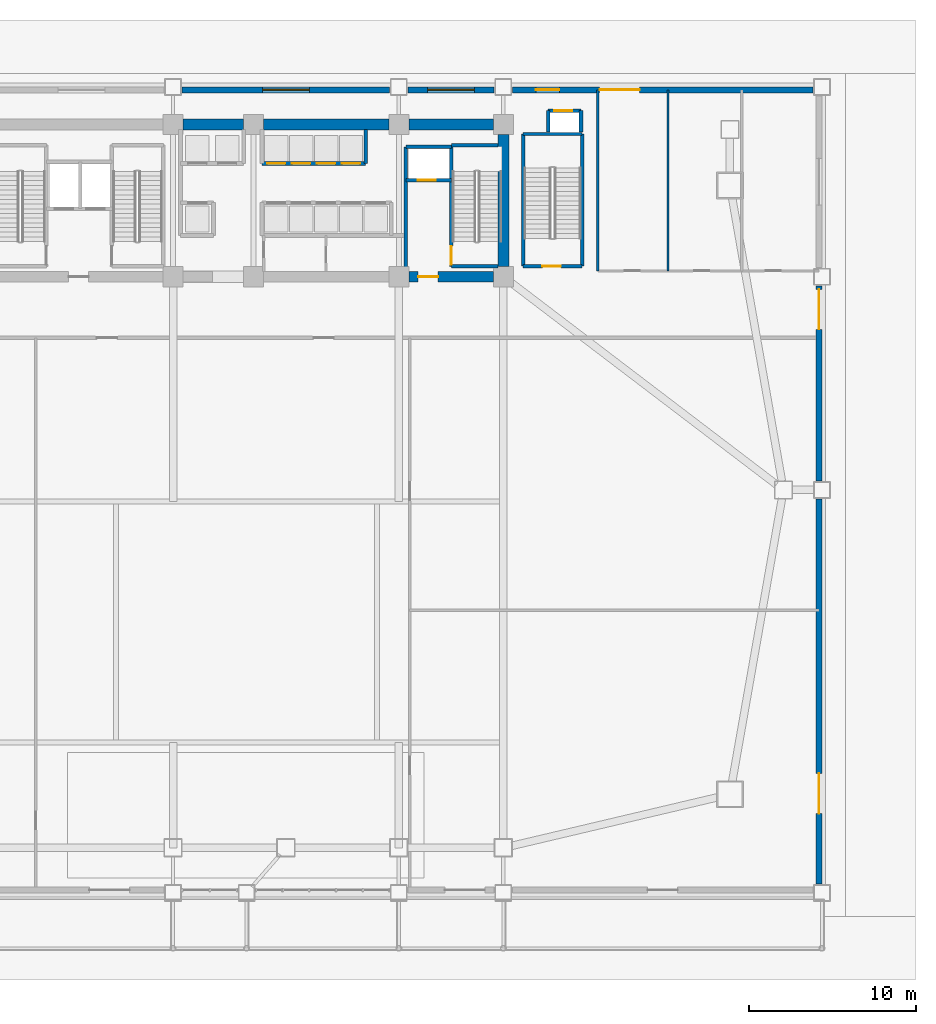
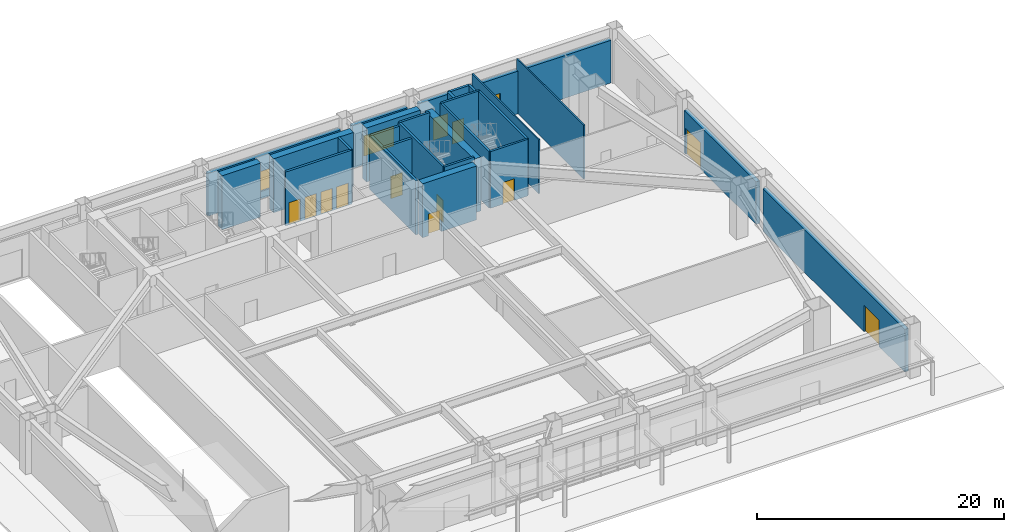
# One storey, part 11 of 18: 27 walls, 13 doors, 2 windows, 15 openings.
"""IFC4 building model written with IfcOpenShell, lengths in metres."""

from ifc_helpers import new_model, si_unit, direction, frame, frame_2d, origin, place, context, subcontext, project, spatial, rectangle, extrude, source, transform, mapped, material, layer, layer_set, type_object, element, fill, save


model = new_model("IFC4")

# Units and contexts
model_context = context("Model", 3, precision=1e-05, world=origin(), true_north=direction((0.0, 1.0)))
body_context = subcontext(model_context, "Body", "Model", "MODEL_VIEW")
ifc_project = project(units=[si_unit("LENGTHUNIT", "METRE"), si_unit("AREAUNIT", "SQUARE_METRE"), si_unit("VOLUMEUNIT", "CUBIC_METRE"), si_unit("PLANEANGLEUNIT", "RADIAN"), si_unit("MASSUNIT", "GRAM", prefix="KILO")], contexts=[model_context])

# Site, building, storey
site_placement = place(None, origin())
site = spatial("IfcSite", under=ifc_project, at=site_placement, CompositionType="ELEMENT")
building_placement = place(site_placement, origin())
building = spatial("IfcBuilding", under=site, at=building_placement, Name="Giltprow Tower", CompositionType="ELEMENT")
storey_placement = place(building_placement, origin())
storey = spatial("IfcBuildingStorey", under=building, at=storey_placement, Name="L01", CompositionType="ELEMENT", Elevation=0.0)

# Wall, opening, window
ifc_material_1 = material(Name="Precast concrete C40", Category="concrete")
ifc_layer_1 = layer(ifc_material_1, 0.360107421875, Name="Precast concrete C40")
ifc_layer_set_1 = layer_set([ifc_layer_1], Name="Precast concrete C40")
wall_type_1 = type_object("IfcWallType", Name="EW-POD-STONE-360", PredefinedType="SOLIDWALL", material=ifc_layer_set_1)
wall_1_placement = place(storey_placement, frame((31.35009765625, 48.6201171875, 0.0), z_axis=(0.0, 0.0, 1.0), x_axis=(1.0, 0.0, 0.0)))
wall_1 = element("IfcWall", 1, at=wall_1_placement, inside=storey, type_object=wall_type_1, Name="L01 North Podium Masonry Wall 3", PredefinedType="SOLIDWALL", context=body_context, shape_type="SweptSolid", body=[
    extrude(rectangle(XDim=12.39990234375, YDim=0.360107421875, at=frame_2d((6.199951171875, 0.0))), origin(), (0.0, 0.0, 1.0), 4.219970703125),
])
opening_1_placement = place(wall_1_placement, frame((4.800048828125, 0.0, 0.719970703125)))
opening_1 = element("IfcOpeningElement", 2, at=opening_1_placement, cuts=wall_1, Name="Opening WN31", PredefinedType="OPENING", context=body_context, shape_type="SweptSolid", body=[
    extrude(rectangle(XDim=2.800048828125, YDim=2.0, at=frame_2d((1.39990234375, 1.0))), frame((0.0, 0.18994140625, 0.0), z_axis=(0.0, -1.0, 0.0), x_axis=(1.0, 0.0, 0.0)), (0.0, 0.0, 1.0), 0.380126953125),
])
ifc_material_2 = material(Name="Insulated glass", Category="glass")
window_type = type_object("IfcWindowType", Name="WN-POD-2800x2000", PartitioningType="SINGLE_PANEL", PredefinedType="WINDOW", material=ifc_material_2)
shared_shape_1 = source(origin(), body_context, "Body", "SweptSolid", [
    extrude(rectangle(XDim=2.800048828125, YDim=2.0, at=frame_2d((1.39990234375, 1.0))), frame((0.0, 0.030029296875, 0.0), z_axis=(0.0, -1.0, 0.0), x_axis=(1.0, 0.0, 0.0)), (0.0, 0.0, 1.0), 0.06005859375),
])
window_1_placement = place(opening_1_placement, origin())
window_1 = element("IfcWindow", 3, at=window_1_placement, inside=storey, type_object=window_type, Name="L01 Podium North Window 3", OverallHeight=2.0, OverallWidth=2.800048828125, PartitioningType="SINGLE_PANEL", PredefinedType="WINDOW", context=body_context, shape_type="MappedRepresentation", body=[
    mapped(shared_shape_1, transform((0.0, 0.0, 0.0), x_axis=(1.0, 0.0, 0.0), y_axis=(0.0, 1.0, 0.0), z_axis=(0.0, 0.0, 1.0), scale=1.0)),
])
fill(opening_1, window_1)

wall_2_placement = place(storey_placement, frame((44.85009765625, 48.6201171875, 0.0), z_axis=(0.0, 0.0, 1.0), x_axis=(1.0, 0.0, 0.0)))
wall_2 = element("IfcWall", 4, at=wall_2_placement, inside=storey, type_object=wall_type_1, Name="L01 North Podium Masonry Wall 4", PredefinedType="SOLIDWALL", context=body_context, shape_type="SweptSolid", body=[
    extrude(rectangle(XDim=5.14990234375, YDim=0.360107421875, at=frame_2d((2.574951171875, 0.0))), origin(), (0.0, 0.0, 1.0), 4.219970703125),
])
opening_2_placement = place(wall_2_placement, frame((1.175048828125, 0.0, 0.719970703125)))
opening_2 = element("IfcOpeningElement", 5, at=opening_2_placement, cuts=wall_2, Name="Opening WN31", PredefinedType="OPENING", context=body_context, shape_type="SweptSolid", body=[
    extrude(rectangle(XDim=2.800048828125, YDim=2.0, at=frame_2d((1.39990234375, 1.0))), frame((0.0, 0.18994140625, 0.0), z_axis=(0.0, -1.0, 0.0), x_axis=(1.0, 0.0, 0.0)), (0.0, 0.0, 1.0), 0.380126953125),
])
window_2_placement = place(opening_2_placement, origin())
window_2 = element("IfcWindow", 6, at=window_2_placement, inside=storey, type_object=window_type, Name="L01 Podium North Window 4", OverallHeight=2.0, OverallWidth=2.800048828125, PartitioningType="SINGLE_PANEL", PredefinedType="WINDOW", context=body_context, shape_type="MappedRepresentation", body=[
    mapped(shared_shape_1, transform((0.0, 0.0, 0.0), x_axis=(1.0, 0.0, 0.0), y_axis=(0.0, 1.0, 0.0), z_axis=(0.0, 0.0, 1.0), scale=1.0)),
])
fill(opening_2, window_2)

# Wall, openings, doors
wall_3_placement = place(storey_placement, frame((51.10009765625, 48.6201171875, 0.0), z_axis=(0.0, 0.0, 1.0), x_axis=(1.0, 0.0, 0.0)))
wall_3 = element("IfcWall", 7, at=wall_3_placement, inside=storey, type_object=wall_type_1, Name="L01 North Podium Masonry Wall 5", PredefinedType="SOLIDWALL", context=body_context, shape_type="SweptSolid", body=[
    extrude(rectangle(XDim=17.949951171875, YDim=0.360107421875, at=frame_2d((8.97509765625, 0.0))), origin(), (0.0, 0.0, 1.0), 4.219970703125),
])
opening_3_placement = place(wall_3_placement, frame((1.39990234375, 0.0, 0.0)))
opening_3 = element("IfcOpeningElement", 8, at=opening_3_placement, cuts=wall_3, Name="Opening ED33", PredefinedType="OPENING", context=body_context, shape_type="SweptSolid", body=[
    extrude(rectangle(XDim=1.39990234375, YDim=2.199951171875, at=frame_2d((0.699951171875, 1.10009765625))), frame((0.0, 0.18994140625, 0.0), z_axis=(0.0, -1.0, 0.0), x_axis=(1.0, 0.0, 0.0)), (0.0, 0.0, 1.0), 0.380126953125),
])
opening_4_placement = place(wall_3_placement, frame((5.199951171875, 0.0, 0.0)))
opening_4 = element("IfcOpeningElement", 9, at=opening_4_placement, cuts=wall_3, Name="Opening ED29", PredefinedType="OPENING", context=body_context, shape_type="SweptSolid", body=[
    extrude(rectangle(XDim=2.39990234375, YDim=2.60009765625, at=frame_2d((1.199951171875, 1.300048828125))), frame((0.0, 0.18994140625, 0.0), z_axis=(0.0, -1.0, 0.0), x_axis=(1.0, 0.0, 0.0)), (0.0, 0.0, 1.0), 0.380126953125),
])
ifc_material_3 = material(Name="Anodized bronze and glass", Category="glass")
door_type_1 = type_object("IfcDoorType", Name="DR-EXT-LOBBY-2400", OperationType="DOUBLE_SWING_LEFT", PredefinedType="DOOR", material=ifc_material_3)
shared_shape_2 = source(origin(), body_context, "Body", "SweptSolid", [
    extrude(rectangle(XDim=2.39990234375, YDim=2.60009765625, at=frame_2d((1.199951171875, 1.300048828125))), frame((0.0, 0.02490234375, 0.0), z_axis=(0.0, -1.0, 0.0), x_axis=(1.0, 0.0, 0.0)), (0.0, 0.0, 1.0), 0.050048828125),
])
door_1_placement = place(opening_4_placement, origin())
door_1 = element("IfcDoor", 10, at=door_1_placement, inside=storey, type_object=door_type_1, Name="L01 Service Bay Entrance Door", OperationType="DOUBLE_SWING_LEFT", OverallHeight=2.60009765625, OverallWidth=2.39990234375, PredefinedType="DOOR", context=body_context, shape_type="MappedRepresentation", body=[
    mapped(shared_shape_2, transform((0.0, 0.0, 0.0), x_axis=(1.0, 0.0, 0.0), y_axis=(0.0, 1.0, 0.0), z_axis=(0.0, 0.0, 1.0), scale=1.0)),
])
fill(opening_4, door_1)
ifc_material_4 = material(Name="Steel fire leaf", Category="steel")
door_type_2 = type_object("IfcDoorType", Name="DR-EXT-EXIT-1400", OperationType="SINGLE_SWING_LEFT", PredefinedType="DOOR", material=ifc_material_4)
shared_shape_3 = source(origin(), body_context, "Body", "SweptSolid", [
    extrude(rectangle(XDim=1.39990234375, YDim=2.199951171875, at=frame_2d((0.699951171875, 1.10009765625))), frame((0.0, 0.02490234375, 0.0), z_axis=(0.0, -1.0, 0.0), x_axis=(1.0, 0.0, 0.0)), (0.0, 0.0, 1.0), 0.050048828125),
])
door_2_placement = place(opening_3_placement, origin())
door_2 = element("IfcDoor", 11, at=door_2_placement, inside=storey, type_object=door_type_2, Name="L01 East Stair Final Exit Door", OperationType="SINGLE_SWING_RIGHT", OverallHeight=2.199951171875, OverallWidth=1.39990234375, PredefinedType="DOOR", context=body_context, shape_type="MappedRepresentation", body=[
    mapped(shared_shape_3, transform((0.0, 0.0, 0.0), x_axis=(1.0, 0.0, 0.0), y_axis=(0.0, 1.0, 0.0), z_axis=(0.0, 0.0, 1.0), scale=1.0)),
])
fill(opening_3, door_2)

# Wall, opening, door
wall_4_placement = place(storey_placement, frame((69.419921875, 1.14990234375, 0.0), z_axis=(0.0, 0.0, 1.0), x_axis=(0.0, 1.0, 0.0)))
wall_4 = element("IfcWall", 12, at=wall_4_placement, inside=storey, type_object=wall_type_1, Name="L01 E Podium Masonry Wall 1", PredefinedType="SOLIDWALL", context=body_context, shape_type="SweptSolid", body=[
    extrude(rectangle(XDim=23.0, YDim=0.360107421875, at=frame_2d((11.5, 0.0))), origin(), (0.0, 0.0, 1.0), 4.219970703125),
])
opening_5_placement = place(wall_4_placement, frame((4.199951171875, 0.0, 0.0)))
opening_5 = element("IfcOpeningElement", 13, at=opening_5_placement, cuts=wall_4, Name="Opening ED29", PredefinedType="OPENING", context=body_context, shape_type="SweptSolid", body=[
    extrude(rectangle(XDim=2.39990234375, YDim=2.60009765625, at=frame_2d((1.199951171875, 1.300048828125))), frame((0.0, 0.18994140625, 0.0), z_axis=(0.0, -1.0, 0.0), x_axis=(1.0, 0.0, 0.0)), (0.0, 0.0, 1.0), 0.380126953125),
])
door_3_placement = place(opening_5_placement, frame((2.39990234375, 0.0, 0.0), z_axis=(0.0, 0.0, 1.0), x_axis=(-1.0, 0.0, 0.0)))
door_3 = element("IfcDoor", 14, at=door_3_placement, inside=storey, type_object=door_type_1, Name="L01 E Concourse Final Exit Door 1", OperationType="DOUBLE_SWING_LEFT", OverallHeight=2.60009765625, OverallWidth=2.39990234375, PredefinedType="DOOR", context=body_context, shape_type="MappedRepresentation", body=[
    mapped(shared_shape_2, transform((0.0, 0.0, 0.0), x_axis=(1.0, 0.0, 0.0), y_axis=(0.0, 1.0, 0.0), z_axis=(0.0, 0.0, 1.0), scale=1.0)),
])
fill(opening_5, door_3)

wall_5_placement = place(storey_placement, frame((69.419921875, 25.25, 0.0), z_axis=(0.0, 0.0, 1.0), x_axis=(0.0, 1.0, 0.0)))
wall_5 = element("IfcWall", 15, at=wall_5_placement, inside=storey, type_object=wall_type_1, Name="L01 E Podium Masonry Wall 2", PredefinedType="SOLIDWALL", context=body_context, shape_type="SweptSolid", body=[
    extrude(rectangle(XDim=11.64990234375, YDim=0.360107421875, at=frame_2d((5.824951171875, 0.0))), origin(), (0.0, 0.0, 1.0), 4.219970703125),
])
opening_6_placement = place(wall_5_placement, frame((9.050048828125, 0.0, 0.0)))
opening_6 = element("IfcOpeningElement", 16, at=opening_6_placement, cuts=wall_5, Name="Opening ED29", PredefinedType="OPENING", context=body_context, shape_type="SweptSolid", body=[
    extrude(rectangle(XDim=2.39990234375, YDim=2.60009765625, at=frame_2d((1.199951171875, 1.300048828125))), frame((0.0, 0.18994140625, 0.0), z_axis=(0.0, -1.0, 0.0), x_axis=(1.0, 0.0, 0.0)), (0.0, 0.0, 1.0), 0.380126953125),
])
door_4_placement = place(opening_6_placement, frame((2.39990234375, 0.0, 0.0), z_axis=(0.0, 0.0, 1.0), x_axis=(-1.0, 0.0, 0.0)))
door_4 = element("IfcDoor", 17, at=door_4_placement, inside=storey, type_object=door_type_1, Name="L01 E Protected Exit Corridor Final Exit Door 2", OperationType="DOUBLE_SWING_LEFT", OverallHeight=2.60009765625, OverallWidth=2.39990234375, PredefinedType="DOOR", context=body_context, shape_type="MappedRepresentation", body=[
    mapped(shared_shape_2, transform((0.0, 0.0, 0.0), x_axis=(1.0, 0.0, 0.0), y_axis=(0.0, 1.0, 0.0), z_axis=(0.0, 0.0, 1.0), scale=1.0)),
])
fill(opening_6, door_4)

ifc_material_5 = material(Name="Concrete C40", Category="concrete")
ifc_layer_2 = layer(ifc_material_5, 0.219970703125, Name="Concrete C40")
ifc_layer_set_2 = layer_set([ifc_layer_2], Name="Concrete C40")
wall_type_2 = type_object("IfcWallType", Name="IW-SHAFT-220", PredefinedType="SOLIDWALL", material=ifc_layer_set_2)
wall_6_placement = place(storey_placement, frame((44.719970703125, 43.219970703125, 0.0), z_axis=(0.0, 0.0, 1.0), x_axis=(1.0, 0.0, 0.0)))
wall_6 = element("IfcWall", 18, at=wall_6_placement, inside=storey, type_object=wall_type_2, Name="L01 FFL2 Front Shaft Wall", PredefinedType="SOLIDWALL", context=body_context, shape_type="SweptSolid", body=[
    extrude(rectangle(XDim=2.719970703125, YDim=0.219970703125, at=frame_2d((1.35986328125, 0.0))), origin(), (0.0, 0.0, 1.0), 5.340087890625),
])
opening_7_placement = place(wall_6_placement, frame((0.699951171875, 0.0, 0.0)))
opening_7 = element("IfcOpeningElement", 19, at=opening_7_placement, cuts=wall_6, Name="Opening LD-11", PredefinedType="OPENING", context=body_context, shape_type="SweptSolid", body=[
    extrude(rectangle(XDim=1.10009765625, YDim=2.199951171875, at=frame_2d((0.550048828125, 1.10009765625))), frame((0.0, 0.119873046875, 0.0), z_axis=(0.0, -1.0, 0.0), x_axis=(1.0, 0.0, 0.0)), (0.0, 0.0, 1.0), 0.239990234375),
])
ifc_material_6 = material(Name="Stainless steel", Category="steel")
door_type_3 = type_object("IfcDoorType", Name="DR-LIFT-LD1100", OperationType="SLIDING_TO_LEFT", PredefinedType="DOOR", material=ifc_material_6)
shared_shape_4 = source(origin(), body_context, "Body", "SweptSolid", [
    extrude(rectangle(XDim=1.10009765625, YDim=2.199951171875, at=frame_2d((0.550048828125, 1.10009765625))), frame((0.0, 0.02490234375, 0.0), z_axis=(0.0, -1.0, 0.0), x_axis=(1.0, 0.0, 0.0)), (0.0, 0.0, 1.0), 0.050048828125),
])
door_5_placement = place(opening_7_placement, origin())
door_5 = element("IfcDoor", 20, at=door_5_placement, inside=storey, type_object=door_type_3, Name="L01 FFL2 Landing Door", OperationType="SLIDING_TO_LEFT", OverallHeight=2.199951171875, OverallWidth=1.10009765625, PredefinedType="DOOR", context=body_context, shape_type="MappedRepresentation", body=[
    mapped(shared_shape_4, transform((0.0, 0.0, 0.0), x_axis=(1.0, 0.0, 0.0), y_axis=(0.0, 1.0, 0.0), z_axis=(0.0, 0.0, 1.0), scale=1.0)),
])
fill(opening_7, door_5)

# Walls
wall_7_placement = place(storey_placement, frame((44.719970703125, 45.219970703125, 0.0), z_axis=(0.0, 0.0, 1.0), x_axis=(1.0, 0.0, 0.0)))
element("IfcWall", 21, at=wall_7_placement, inside=storey, type_object=wall_type_2, Name="L01 FFL2 Back Shaft Wall", PredefinedType="SOLIDWALL", context=body_context, shape_type="SweptSolid", body=[
    extrude(rectangle(XDim=2.719970703125, YDim=0.219970703125, at=frame_2d((1.35986328125, 0.0))), origin(), (0.0, 0.0, 1.0), 5.340087890625),
])
wall_8_placement = place(storey_placement, frame((44.719970703125, 37.7548828125, 0.0), z_axis=(0.0, 0.0, 1.0), x_axis=(0.0, 1.0, 0.0)))
element("IfcWall", 22, at=wall_8_placement, inside=storey, type_object=wall_type_2, Name="L01 East Firefighting Lobby West Wall", PredefinedType="SOLIDWALL", context=body_context, shape_type="SweptSolid", body=[
    extrude(rectangle(XDim=7.465087890625, YDim=0.219970703125, at=frame_2d((3.732421875, 0.0))), origin(), (0.0, 0.0, 1.0), 5.340087890625),
])

# Wall, opening, door
wall_9_placement = place(storey_placement, frame((53.22998046875, 47.3798828125, 0.0), z_axis=(0.0, 0.0, 1.0), x_axis=(1.0, 0.0, 0.0)))
wall_9 = element("IfcWall", 23, at=wall_9_placement, inside=storey, type_object=wall_type_2, Name="L01 PL-P2 Front Wall", PredefinedType="SOLIDWALL", context=body_context, shape_type="SweptSolid", body=[
    extrude(rectangle(XDim=1.9599609375, YDim=0.219970703125, at=frame_2d((0.97998046875, 0.0))), origin(), (0.0, 0.0, 1.0), 5.340087890625),
])
opening_8_placement = place(wall_9_placement, frame((0.35009765625, 0.0, 0.0)))
opening_8 = element("IfcOpeningElement", 24, at=opening_8_placement, cuts=wall_9, Name="Opening LD-11", PredefinedType="OPENING", context=body_context, shape_type="SweptSolid", body=[
    extrude(rectangle(XDim=1.10009765625, YDim=2.199951171875, at=frame_2d((0.550048828125, 1.10009765625))), frame((0.0, 0.119873046875, 0.0), z_axis=(0.0, -1.0, 0.0), x_axis=(1.0, 0.0, 0.0)), (0.0, 0.0, 1.0), 0.239990234375),
])
door_6_placement = place(opening_8_placement, origin())
door_6 = element("IfcDoor", 25, at=door_6_placement, inside=storey, type_object=door_type_3, Name="L01 PL-P2 Landing Door", OperationType="SLIDING_TO_LEFT", OverallHeight=2.199951171875, OverallWidth=1.10009765625, PredefinedType="DOOR", context=body_context, shape_type="MappedRepresentation", body=[
    mapped(shared_shape_4, transform((0.0, 0.0, 0.0), x_axis=(1.0, 0.0, 0.0), y_axis=(0.0, 1.0, 0.0), z_axis=(0.0, 0.0, 1.0), scale=1.0)),
])
fill(opening_8, door_6)

# Walls
for number, where, z_axis, x_axis, name in (
    (26, (53.22998046875, 46.090087890625, 0.0), (0.0, 0.0, 1.0), (0.0, 1.0, 0.0), "L01 PL-P2 West Shaft Wall"),
    (27, (55.18994140625, 46.090087890625, 0.0), (0.0, 0.0, 1.0), (0.0, 1.0, 0.0), "L01 PL-P2 East Shaft Wall"),
):
    element("IfcWall", number, at=place(storey_placement, frame(where, z_axis=z_axis, x_axis=x_axis)), inside=storey, type_object=wall_type_2, Name=name, PredefinedType="SOLIDWALL", context=body_context, shape_type="SweptSolid", body=[
        extrude(rectangle(XDim=1.289794921875, YDim=0.219970703125, at=frame_2d((0.64501953125, 0.0))), origin(), (0.0, 0.0, 1.0), 5.340087890625),
    ])

# Wall, openings, doors
wall_10_placement = place(storey_placement, frame((36.1201171875, 44.219970703125, 0.0), z_axis=(0.0, 0.0, 1.0), x_axis=(1.0, 0.0, 0.0)))
wall_10 = element("IfcWall", 28, at=wall_10_placement, inside=storey, type_object=wall_type_2, Name="L01 North East Lift Shaft Front Wall", PredefinedType="SOLIDWALL", context=body_context, shape_type="SweptSolid", body=[
    extrude(rectangle(XDim=6.199951171875, YDim=0.219970703125, at=frame_2d((3.10009765625, 0.0))), origin(), (0.0, 0.0, 1.0), 5.340087890625),
])
opening_9_placement = place(wall_10_placement, frame((0.300048828125, 0.0, 0.0)))
opening_9 = element("IfcOpeningElement", 29, at=opening_9_placement, cuts=wall_10, Name="Opening LD-11", PredefinedType="OPENING", context=body_context, shape_type="SweptSolid", body=[
    extrude(rectangle(XDim=1.10009765625, YDim=2.199951171875, at=frame_2d((0.550048828125, 1.10009765625))), frame((0.0, 0.119873046875, 0.0), z_axis=(0.0, -1.0, 0.0), x_axis=(1.0, 0.0, 0.0)), (0.0, 0.0, 1.0), 0.239990234375),
])
opening_10_placement = place(wall_10_placement, frame((1.7900390625, 0.0, 0.0)))
opening_10 = element("IfcOpeningElement", 30, at=opening_10_placement, cuts=wall_10, Name="Opening LD-11", PredefinedType="OPENING", context=body_context, shape_type="SweptSolid", body=[
    extrude(rectangle(XDim=1.10009765625, YDim=2.199951171875, at=frame_2d((0.550048828125, 1.10009765625))), frame((0.0, 0.119873046875, 0.0), z_axis=(0.0, -1.0, 0.0), x_axis=(1.0, 0.0, 0.0)), (0.0, 0.0, 1.0), 0.239990234375),
])
opening_11_placement = place(wall_10_placement, frame((3.280029296875, 0.0, 0.0)))
opening_11 = element("IfcOpeningElement", 31, at=opening_11_placement, cuts=wall_10, Name="Opening LD-11", PredefinedType="OPENING", context=body_context, shape_type="SweptSolid", body=[
    extrude(rectangle(XDim=1.10009765625, YDim=2.199951171875, at=frame_2d((0.550048828125, 1.10009765625))), frame((0.0, 0.119873046875, 0.0), z_axis=(0.0, -1.0, 0.0), x_axis=(1.0, 0.0, 0.0)), (0.0, 0.0, 1.0), 0.239990234375),
])
opening_12_placement = place(wall_10_placement, frame((4.77001953125, 0.0, 0.0)))
opening_12 = element("IfcOpeningElement", 32, at=opening_12_placement, cuts=wall_10, Name="Opening LD-11", PredefinedType="OPENING", context=body_context, shape_type="SweptSolid", body=[
    extrude(rectangle(XDim=1.10009765625, YDim=2.199951171875, at=frame_2d((0.550048828125, 1.10009765625))), frame((0.0, 0.119873046875, 0.0), z_axis=(0.0, -1.0, 0.0), x_axis=(1.0, 0.0, 0.0)), (0.0, 0.0, 1.0), 0.239990234375),
])
door_7_placement = place(opening_9_placement, origin())
door_7 = element("IfcDoor", 33, at=door_7_placement, inside=storey, type_object=door_type_3, Name="L01 PL-H1 Landing Door", OperationType="SLIDING_TO_LEFT", OverallHeight=2.199951171875, OverallWidth=1.10009765625, PredefinedType="DOOR", context=body_context, shape_type="MappedRepresentation", body=[
    mapped(shared_shape_4, transform((0.0, 0.0, 0.0), x_axis=(1.0, 0.0, 0.0), y_axis=(0.0, 1.0, 0.0), z_axis=(0.0, 0.0, 1.0), scale=1.0)),
])
fill(opening_9, door_7)
door_8_placement = place(opening_10_placement, origin())
door_8 = element("IfcDoor", 34, at=door_8_placement, inside=storey, type_object=door_type_3, Name="L01 PL-H2 Landing Door", OperationType="SLIDING_TO_LEFT", OverallHeight=2.199951171875, OverallWidth=1.10009765625, PredefinedType="DOOR", context=body_context, shape_type="MappedRepresentation", body=[
    mapped(shared_shape_4, transform((0.0, 0.0, 0.0), x_axis=(1.0, 0.0, 0.0), y_axis=(0.0, 1.0, 0.0), z_axis=(0.0, 0.0, 1.0), scale=1.0)),
])
fill(opening_10, door_8)
door_9_placement = place(opening_11_placement, origin())
door_9 = element("IfcDoor", 35, at=door_9_placement, inside=storey, type_object=door_type_3, Name="L01 PL-M1 Landing Door", OperationType="SLIDING_TO_LEFT", OverallHeight=2.199951171875, OverallWidth=1.10009765625, PredefinedType="DOOR", context=body_context, shape_type="MappedRepresentation", body=[
    mapped(shared_shape_4, transform((0.0, 0.0, 0.0), x_axis=(1.0, 0.0, 0.0), y_axis=(0.0, 1.0, 0.0), z_axis=(0.0, 0.0, 1.0), scale=1.0)),
])
fill(opening_11, door_9)
door_10_placement = place(opening_12_placement, origin())
door_10 = element("IfcDoor", 36, at=door_10_placement, inside=storey, type_object=door_type_3, Name="L01 PL-M2 Landing Door", OperationType="SLIDING_TO_LEFT", OverallHeight=2.199951171875, OverallWidth=1.10009765625, PredefinedType="DOOR", context=body_context, shape_type="MappedRepresentation", body=[
    mapped(shared_shape_4, transform((0.0, 0.0, 0.0), x_axis=(1.0, 0.0, 0.0), y_axis=(0.0, 1.0, 0.0), z_axis=(0.0, 0.0, 1.0), scale=1.0)),
])
fill(opening_12, door_10)

# Wall
wall_11_placement = place(storey_placement, frame((42.320068359375, 44.219970703125, 0.0), z_axis=(0.0, 0.0, 1.0), x_axis=(0.0, 1.0, 0.0)))
element("IfcWall", 37, at=wall_11_placement, inside=storey, type_object=wall_type_2, Name="L01 North East Lift Shaft East Closure", PredefinedType="SOLIDWALL", context=body_context, shape_type="SweptSolid", body=[
    extrude(rectangle(XDim=2.025146484375, YDim=0.219970703125, at=frame_2d((1.0126953125, 0.0))), origin(), (0.0, 0.0, 1.0), 5.340087890625),
])

# Wall, opening, door
ifc_layer_3 = layer(ifc_material_5, 0.199951171875, Name="Concrete C40")
ifc_layer_set_3 = layer_set([ifc_layer_3], Name="Concrete C40")
wall_type_3 = type_object("IfcWallType", Name="IW-STAIR-200", PredefinedType="SOLIDWALL", material=ifc_layer_set_3)
wall_12_placement = place(storey_placement, frame((47.43994140625, 38.070068359375, 0.0), z_axis=(0.0, 0.0, 1.0), x_axis=(0.0, 1.0, 0.0)))
wall_12 = element("IfcWall", 38, at=wall_12_placement, inside=storey, type_object=wall_type_3, Name="L01 Stair ST-3 West Bearing Wall", PredefinedType="SOLIDWALL", context=body_context, shape_type="SweptSolid", body=[
    extrude(rectangle(XDim=7.25, YDim=0.199951171875, at=frame_2d((3.625, 0.0))), origin(), (0.0, 0.0, 1.0), 5.60009765625),
])
opening_13_placement = place(wall_12_placement, frame((0.110107421875, 0.0, 0.0)))
opening_13 = element("IfcOpeningElement", 39, at=opening_13_placement, cuts=wall_12, Name="Opening ID33", PredefinedType="OPENING", context=body_context, shape_type="SweptSolid", body=[
    extrude(rectangle(XDim=1.10009765625, YDim=2.14990234375, at=frame_2d((0.550048828125, 1.074951171875))), frame((0.0, 0.10986328125, 0.0), z_axis=(0.0, -1.0, 0.0), x_axis=(1.0, 0.0, 0.0)), (0.0, 0.0, 1.0), 0.219970703125),
])
door_type_4 = type_object("IfcDoorType", Name="DR-STAIR-1100", OperationType="SINGLE_SWING_LEFT", PredefinedType="DOOR", material=ifc_material_4)
shared_shape_5 = source(origin(), body_context, "Body", "SweptSolid", [
    extrude(rectangle(XDim=1.10009765625, YDim=2.14990234375, at=frame_2d((0.550048828125, 1.074951171875))), frame((0.0, 0.02490234375, 0.0), z_axis=(0.0, -1.0, 0.0), x_axis=(1.0, 0.0, 0.0)), (0.0, 0.0, 1.0), 0.050048828125),
])
door_11_placement = place(opening_13_placement, origin())
door_11 = element("IfcDoor", 40, at=door_11_placement, inside=storey, type_object=door_type_4, Name="L01 Stair ST-3 Fire Door", OperationType="SINGLE_SWING_LEFT", OverallHeight=2.14990234375, OverallWidth=1.10009765625, PredefinedType="DOOR", context=body_context, shape_type="MappedRepresentation", body=[
    mapped(shared_shape_5, transform((0.0, 0.0, 0.0), x_axis=(1.0, 0.0, 0.0), y_axis=(0.0, 1.0, 0.0), z_axis=(0.0, 0.0, 1.0), scale=1.0)),
])
fill(opening_13, door_11)

# Walls
for number, where, z_axis, x_axis, name in (
    (41, (47.43994140625, 45.320068359375, 0.0), (0.0, 0.0, 1.0), (1.0, 0.0, 0.0), "L01 Stair ST-3 North Bearing Wall"),
    (42, (47.43994140625, 38.070068359375, 0.0), (0.0, 0.0, 1.0), (1.0, 0.0, 0.0), "L01 Stair ST-3 South Bearing Wall"),
):
    element("IfcWall", number, at=place(storey_placement, frame(where, z_axis=z_axis, x_axis=x_axis)), inside=storey, type_object=wall_type_3, Name=name, PredefinedType="SOLIDWALL", context=body_context, shape_type="SweptSolid", body=[
        extrude(rectangle(XDim=2.80517578125, YDim=0.199951171875, at=frame_2d((1.402587890625, 0.0))), origin(), (0.0, 0.0, 1.0), 5.60009765625),
    ])
for number, where, z_axis, x_axis, name in (
    (43, (51.739990234375, 38.080078125, 0.0), (0.0, 0.0, 1.0), (0.0, 1.0, 0.0), "L01 Podium Stair ST-P2 West Bearing Wall"),
    (44, (55.260009765625, 38.080078125, 0.0), (0.0, 0.0, 1.0), (0.0, 1.0, 0.0), "L01 Podium Stair ST-P2 East Bearing Wall"),
):
    element("IfcWall", number, at=place(storey_placement, frame(where, z_axis=z_axis, x_axis=x_axis)), inside=storey, type_object=wall_type_3, Name=name, PredefinedType="SOLIDWALL", context=body_context, shape_type="SweptSolid", body=[
        extrude(rectangle(XDim=7.89990234375, YDim=0.199951171875, at=frame_2d((3.949951171875, 0.0))), origin(), (0.0, 0.0, 1.0), 5.60009765625),
    ])
wall_13_placement = place(storey_placement, frame((51.739990234375, 45.97998046875, 0.0), z_axis=(0.0, 0.0, 1.0), x_axis=(1.0, 0.0, 0.0)))
element("IfcWall", 45, at=wall_13_placement, inside=storey, type_object=wall_type_3, Name="L01 Podium Stair ST-P2 North Bearing Wall", PredefinedType="SOLIDWALL", context=body_context, shape_type="SweptSolid", body=[
    extrude(rectangle(XDim=3.52001953125, YDim=0.199951171875, at=frame_2d((1.760009765625, 0.0))), origin(), (0.0, 0.0, 1.0), 5.60009765625),
])

# Wall, opening, door
wall_14_placement = place(storey_placement, frame((51.739990234375, 38.080078125, 0.0), z_axis=(0.0, 0.0, 1.0), x_axis=(1.0, 0.0, 0.0)))
wall_14 = element("IfcWall", 46, at=wall_14_placement, inside=storey, type_object=wall_type_3, Name="L01 Podium Stair ST-P2 South Bearing Wall", PredefinedType="SOLIDWALL", context=body_context, shape_type="SweptSolid", body=[
    extrude(rectangle(XDim=3.52001953125, YDim=0.199951171875, at=frame_2d((1.760009765625, 0.0))), origin(), (0.0, 0.0, 1.0), 5.60009765625),
])
opening_14_placement = place(wall_14_placement, frame((1.14990234375, 0.0, 0.0)))
opening_14 = element("IfcOpeningElement", 47, at=opening_14_placement, cuts=wall_14, Name="Opening ID33", PredefinedType="OPENING", context=body_context, shape_type="SweptSolid", body=[
    extrude(rectangle(XDim=1.10009765625, YDim=2.14990234375, at=frame_2d((0.550048828125, 1.074951171875))), frame((0.0, 0.10986328125, 0.0), z_axis=(0.0, -1.0, 0.0), x_axis=(1.0, 0.0, 0.0)), (0.0, 0.0, 1.0), 0.219970703125),
])
door_12_placement = place(opening_14_placement, origin())
door_12 = element("IfcDoor", 48, at=door_12_placement, inside=storey, type_object=door_type_4, Name="L01 Podium Stair ST-P2 Door", OperationType="SINGLE_SWING_LEFT", OverallHeight=2.14990234375, OverallWidth=1.10009765625, PredefinedType="DOOR", context=body_context, shape_type="MappedRepresentation", body=[
    mapped(shared_shape_5, transform((0.0, 0.0, 0.0), x_axis=(1.0, 0.0, 0.0), y_axis=(0.0, 1.0, 0.0), z_axis=(0.0, 0.0, 1.0), scale=1.0)),
])
fill(opening_14, door_12)

# Walls
ifc_material_7 = material(Name="Concrete C30", Category="concrete")
ifc_layer_4 = layer(ifc_material_7, 0.1298828125, Name="Concrete C30")
ifc_layer_set_4 = layer_set([ifc_layer_4], Name="Concrete C30")
wall_type_4 = type_object("IfcWallType", Name="IW-WET-130", PredefinedType="PARTITIONING", material=ifc_layer_set_4)
for number, where, z_axis, x_axis, name in (
    (49, (56.199951171875, 37.800048828125, 0.0), (0.0, 0.0, 1.0), (0.0, 1.0, 0.0), "L01 Public Washrooms West Wall"),
    (50, (60.39990234375, 37.800048828125, 0.0), (0.0, 0.0, 1.0), (0.0, 1.0, 0.0), "L01 Washroom Divider 1"),
):
    element("IfcWall", number, at=place(storey_placement, frame(where, z_axis=z_axis, x_axis=x_axis)), inside=storey, type_object=wall_type_4, Name=name, PredefinedType="PARTITIONING", context=body_context, shape_type="SweptSolid", body=[
        extrude(rectangle(XDim=10.820068359375, YDim=0.1298828125, at=frame_2d((5.41015625, 0.0))), origin(), (0.0, 0.0, 1.0), 5.340087890625),
    ])
ifc_material_8 = material(Name="Concrete C60", Category="concrete")
ifc_layer_5 = layer(ifc_material_8, 0.64990234375, Name="Concrete C60")
ifc_layer_set_5 = layer_set([ifc_layer_5], Name="Concrete C60")
wall_type_5 = type_object("IfcWallType", Name="SW-INT-650-C60", PredefinedType="SHEAR", material=ifc_layer_set_5)
wall_15_placement = place(storey_placement, frame((31.39990234375, 46.550048828125, 0.0), z_axis=(0.0, 0.0, 1.0), x_axis=(1.0, 0.0, 0.0)))
element("IfcWall", 51, at=wall_15_placement, inside=storey, type_object=wall_type_5, Name="L01 North Rear Core Shear Wall 2", PredefinedType="SHEAR", context=body_context, shape_type="SweptSolid", body=[
    extrude(rectangle(XDim=3.60009765625, YDim=0.64990234375, at=frame_2d((1.800048828125, 0.0))), origin(), (0.0, 0.0, 1.0), 5.340087890625),
])
wall_16_placement = place(storey_placement, frame((36.199951171875, 46.550048828125, 0.0), z_axis=(0.0, 0.0, 1.0), x_axis=(1.0, 0.0, 0.0)))
element("IfcWall", 52, at=wall_16_placement, inside=storey, type_object=wall_type_5, Name="L01 North Rear Core Shear Wall 3", PredefinedType="SHEAR", context=body_context, shape_type="SweptSolid", body=[
    extrude(rectangle(XDim=7.5, YDim=0.64990234375, at=frame_2d((3.75, 0.0))), origin(), (0.0, 0.0, 1.0), 5.340087890625),
])
wall_17_placement = place(storey_placement, frame((44.89990234375, 46.550048828125, 0.0), z_axis=(0.0, 0.0, 1.0), x_axis=(1.0, 0.0, 0.0)))
element("IfcWall", 53, at=wall_17_placement, inside=storey, type_object=wall_type_5, Name="L01 North Rear Core Shear Wall 4", PredefinedType="SHEAR", context=body_context, shape_type="SweptSolid", body=[
    extrude(rectangle(XDim=5.050048828125, YDim=0.64990234375, at=frame_2d((2.52490234375, 0.0))), origin(), (0.0, 0.0, 1.0), 5.340087890625),
])

# Wall, opening, door
wall_18_placement = place(storey_placement, frame((44.89990234375, 37.449951171875, 0.0), z_axis=(0.0, 0.0, 1.0), x_axis=(1.0, 0.0, 0.0)))
wall_18 = element("IfcWall", 54, at=wall_18_placement, inside=storey, type_object=wall_type_5, Name="L01 South Rear Core Shear Wall East", PredefinedType="SHEAR", context=body_context, shape_type="SweptSolid", body=[
    extrude(rectangle(XDim=5.050048828125, YDim=0.64990234375, at=frame_2d((2.52490234375, 0.0))), origin(), (0.0, 0.0, 1.0), 5.340087890625),
])
opening_15_placement = place(wall_18_placement, frame((0.550048828125, 0.0, 0.0)))
opening_15 = element("IfcOpeningElement", 55, at=opening_15_placement, cuts=wall_18, Name="Opening ID19", PredefinedType="OPENING", context=body_context, shape_type="SweptSolid", body=[
    extrude(rectangle(XDim=1.199951171875, YDim=2.14990234375, at=frame_2d((0.60009765625, 1.074951171875))), frame((0.0, 0.3349609375, 0.0), z_axis=(0.0, -1.0, 0.0), x_axis=(1.0, 0.0, 0.0)), (0.0, 0.0, 1.0), 0.669921875),
])
door_type_5 = type_object("IfcDoorType", Name="DR-FFLOBBY-1200", OperationType="SINGLE_SWING_RIGHT", PredefinedType="DOOR", material=ifc_material_4)
shared_shape_6 = source(origin(), body_context, "Body", "SweptSolid", [
    extrude(rectangle(XDim=1.199951171875, YDim=2.14990234375, at=frame_2d((0.60009765625, 1.074951171875))), frame((0.0, 0.02490234375, 0.0), z_axis=(0.0, -1.0, 0.0), x_axis=(1.0, 0.0, 0.0)), (0.0, 0.0, 1.0), 0.050048828125),
])
door_13_placement = place(opening_15_placement, origin())
door_13 = element("IfcDoor", 56, at=door_13_placement, inside=storey, type_object=door_type_5, Name="L01 East Firefighting Lobby Entry Door", OperationType="SINGLE_SWING_RIGHT", OverallHeight=2.14990234375, OverallWidth=1.199951171875, PredefinedType="DOOR", context=body_context, shape_type="MappedRepresentation", body=[
    mapped(shared_shape_6, transform((0.0, 0.0, 0.0), x_axis=(1.0, 0.0, 0.0), y_axis=(0.0, 1.0, 0.0), z_axis=(0.0, 0.0, 1.0), scale=1.0)),
])
fill(opening_15, door_13)

# Wall
wall_19_placement = place(storey_placement, frame((50.550048828125, 38.050048828125, 0.0), z_axis=(0.0, 0.0, 1.0), x_axis=(0.0, 1.0, 0.0)))
element("IfcWall", 57, at=wall_19_placement, inside=storey, type_object=wall_type_5, Name="L01 E Rear Core Shear Wall", PredefinedType="SHEAR", context=body_context, shape_type="SweptSolid", body=[
    extrude(rectangle(XDim=7.89990234375, YDim=0.64990234375, at=frame_2d((3.949951171875, 0.0))), origin(), (0.0, 0.0, 1.0), 5.340087890625),
])

save(model, "model.ifc")
